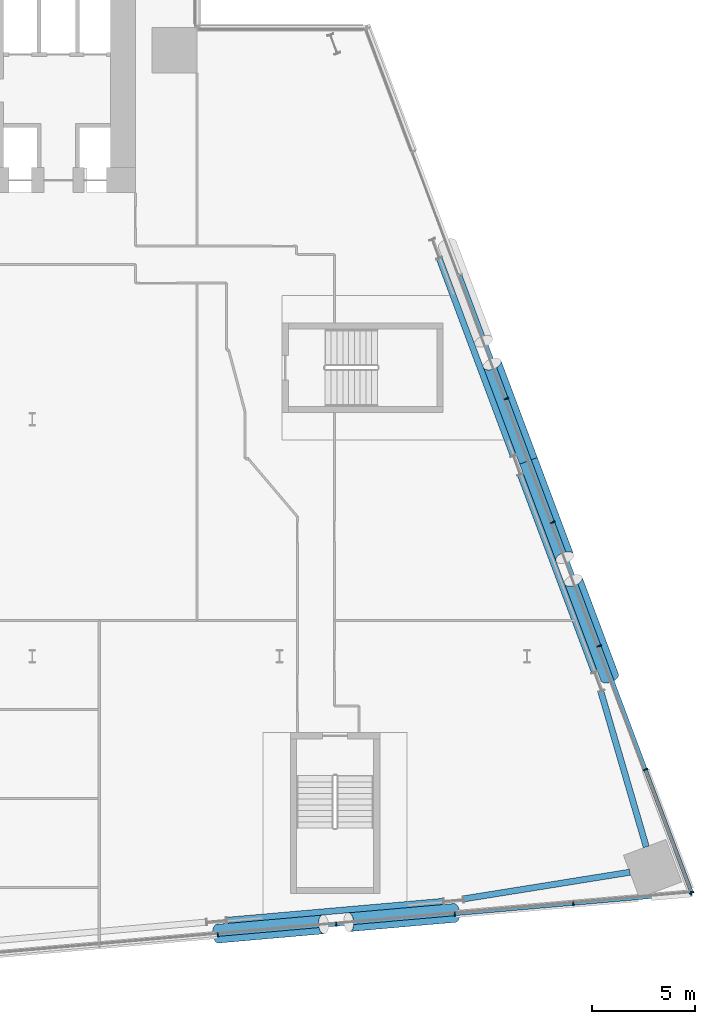
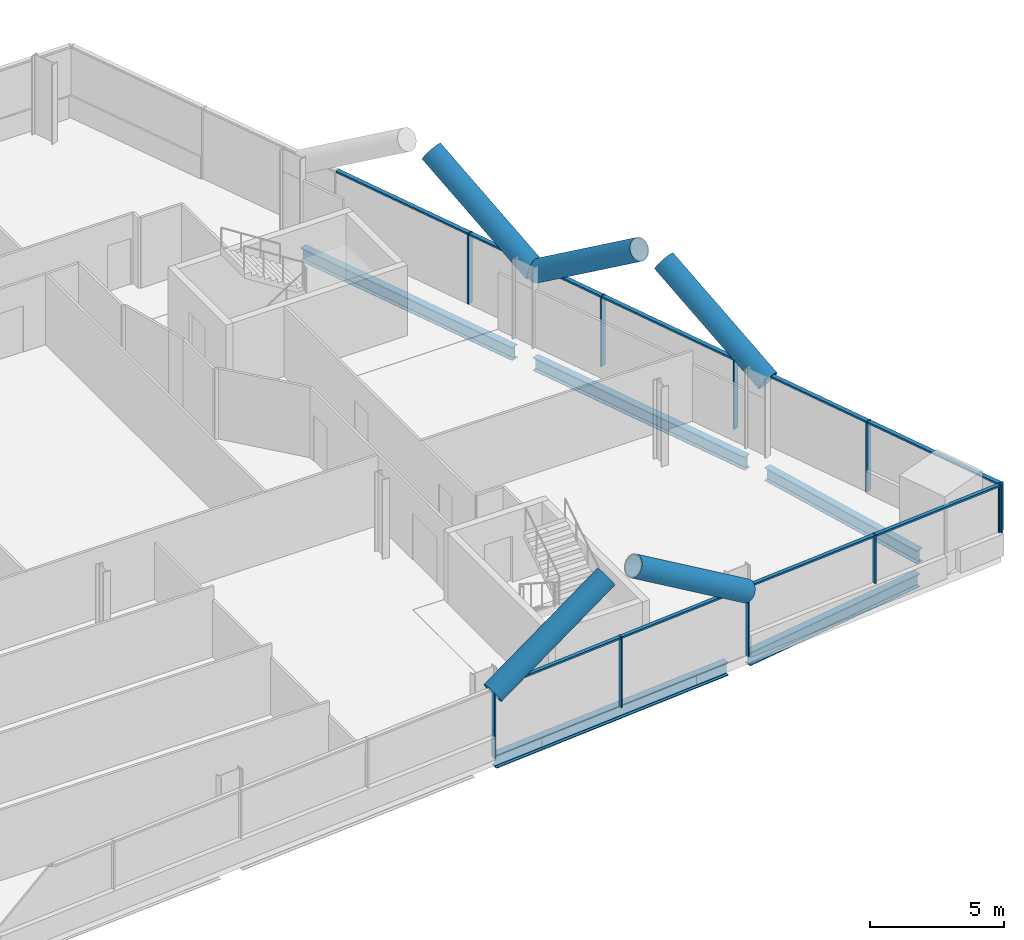
# One storey, part 9 of 27: 24 members, 5 beams, 2 elements without a shape of their own.
"""IFC4 building model written with IfcOpenShell, lengths in metres."""

from ifc_helpers import new_model, si_unit, direction, frame, origin, origin_2d, place, context, subcontext, project, spatial, rectangle, hollow_circle, i_section, extrude, material, material_profile, profile_set, type_object, element, aggregate, save


model = new_model("IFC4")

# Units and contexts
model_context = context("Model", 3, precision=1e-05, world=origin(), true_north=direction((0.0, 1.0)))
body_context = subcontext(model_context, "Body", "Model", "MODEL_VIEW")
ifc_project = project(units=[si_unit("LENGTHUNIT", "METRE"), si_unit("AREAUNIT", "SQUARE_METRE"), si_unit("VOLUMEUNIT", "CUBIC_METRE"), si_unit("PLANEANGLEUNIT", "RADIAN"), si_unit("MASSUNIT", "GRAM", prefix="KILO")], contexts=[model_context])

# Site, building, storey
site_placement = place(None, origin())
site = spatial("IfcSite", under=ifc_project, at=site_placement, CompositionType="ELEMENT")
building_placement = place(site_placement, origin())
building = spatial("IfcBuilding", under=site, at=building_placement, Name="Wharfspan Tower", CompositionType="ELEMENT")
storey_placement = place(building_placement, frame((0.0, 0.0, 81.100098)))
storey = spatial("IfcBuildingStorey", under=building, at=storey_placement, Name="L17", CompositionType="ELEMENT", Elevation=81.100098)

# Beams
ifc_material_1 = material(Name="Steel S355J2", Category="steel")
ifc_material_profile_1 = material_profile(ifc_material_1, i_section(OverallWidth=0.300049, OverallDepth=0.600098, WebThickness=0.015381, FlangeThickness=0.030029, FilletRadius=0.0271, at=origin_2d()))
ifc_profile_set_1 = profile_set([ifc_material_profile_1], Name="Steel S355J2")
beam_type = type_object("IfcBeamType", Name="Edge beam HEB 600", PredefinedType="SPANDREL", material=ifc_profile_set_1)
beam_1_placement = place(storey_placement, frame((69.440674, -1.311279, -0.700195), z_axis=(0.996193, 0.087178, 0.0), x_axis=(-0.087178, 0.996193, 0.0)))
element("IfcBeam", 1, at=beam_1_placement, inside=storey, type_object=beam_type, Name="Edge beam S2 L17 PS2.2 to PS2.3", PredefinedType="SPANDREL", context=body_context, shape_type="SweptSolid", body=[
    extrude(i_section(OverallWidth=0.300049, OverallDepth=0.600098, WebThickness=0.015381, FlangeThickness=0.030029, FilletRadius=0.0271, at=origin_2d()), origin(), (0.0, 0.0, 1.0), 10.543701),
])
beam_2_placement = place(storey_placement, frame((80.9375, -0.269287, -0.700195), z_axis=(0.987379, 0.158378, 0.0), x_axis=(-0.158378, 0.987379, 0.0)))
element("IfcBeam", 2, at=beam_2_placement, inside=storey, type_object=beam_type, Name="Edge beam S2 L17 PS2.3 to MC4", PredefinedType="SPANDREL", context=body_context, shape_type="SweptSolid", body=[
    extrude(i_section(OverallWidth=0.300049, OverallDepth=0.600098, WebThickness=0.015381, FlangeThickness=0.030029, FilletRadius=0.0271, at=origin_2d()), origin(), (0.0, 0.0, 1.0), 8.157715),
])
beam_3_placement = place(storey_placement, frame((89.788086, 2.254639, -0.700195), z_axis=(-0.280694, 0.959797, 0.0), x_axis=(-0.959797, -0.280694, 0.0)))
element("IfcBeam", 3, at=beam_3_placement, inside=storey, type_object=beam_type, Name="Edge beam E L17 MC4 to PE.1", PredefinedType="SPANDREL", context=body_context, shape_type="SweptSolid", body=[
    extrude(i_section(OverallWidth=0.300049, OverallDepth=0.600098, WebThickness=0.015381, FlangeThickness=0.030029, FilletRadius=0.0271, at=origin_2d()), origin(), (0.0, 0.0, 1.0), 7.8479),
])
for number, where, z_axis, x_axis, name in (
    (4, (87.269043, 10.736328, -0.700195), (-0.351126, 0.936328, 0.0), (-0.936328, -0.351126, 0.0), "Edge beam E L17 PE.1 to PE.2"),
    (5, (83.331543, 21.236328, -0.700195), (-0.351126, 0.936328, 0.0), (-0.936328, -0.351126, 0.0), "Edge beam E L17 PE.2 to PE.3"),
):
    element("IfcBeam", number, at=place(storey_placement, frame(where, z_axis=z_axis, x_axis=x_axis)), inside=storey, type_object=beam_type, Name=name, PredefinedType="SPANDREL", context=body_context, shape_type="SweptSolid", body=[
        extrude(i_section(OverallWidth=0.300049, OverallDepth=0.600098, WebThickness=0.015381, FlangeThickness=0.030029, FilletRadius=0.0271, at=origin_2d()), origin(), (0.0, 0.0, 1.0), 10.214111),
    ])

# Curtain wall, members
ifc_material_2 = material(Name="Aluminium 6063-T6", Category="aluminium")
curtain_wall_type_1 = type_object("IfcCurtainWallType", Name="CURTAIN WALL FACETED FRONT", PredefinedType="NOTDEFINED", material=ifc_material_2)
curtain_wall_1_placement = place(storey_placement, origin())
curtain_wall_1 = element("IfcCurtainWall", 6, at=curtain_wall_1_placement, inside=storey, type_object=curtain_wall_type_1, Name="Curtain wall S2", PredefinedType="NOTDEFINED")
ifc_material_profile_2 = material_profile(ifc_material_2, rectangle(XDim=0.199951, YDim=0.060059, at=origin_2d()))
ifc_profile_set_2 = profile_set([ifc_material_profile_2], Name="Aluminium 6063-T6")
member_type_1 = type_object("IfcMemberType", Name="MULLION FACETED FRONT 60x200", PredefinedType="MULLION", material=ifc_profile_set_2)
member_1_placement = place(storey_placement, frame((69.0, -2.012207, 0.0), z_axis=(0.0, 0.0, 1.0), x_axis=(-0.087156, 0.996197, 0.0)))
member_1 = element("IfcMember", 7, at=member_1_placement, type_object=member_type_1, Name="Curtain wall S2 mullion 5", PredefinedType="MULLION", context=body_context, shape_type="SweptSolid", body=[
    extrude(rectangle(XDim=0.199951, YDim=0.060059, at=origin_2d()), origin(), (0.0, 0.0, 1.0), 3.199951),
])
member_2_placement = place(storey_placement, frame((74.75, -1.509277, 0.0), z_axis=(0.0, 0.0, 1.0), x_axis=(-0.087156, 0.996197, 0.0)))
member_2 = element("IfcMember", 8, at=member_2_placement, type_object=member_type_1, Name="Curtain wall S2 mullion 6", PredefinedType="MULLION", context=body_context, shape_type="SweptSolid", body=[
    extrude(rectangle(XDim=0.199951, YDim=0.060059, at=origin_2d()), origin(), (0.0, 0.0, 1.0), 3.199951),
])
member_3_placement = place(storey_placement, frame((80.5, -1.006104, 0.0), z_axis=(0.0, 0.0, 1.0), x_axis=(-0.087156, 0.996197, 0.0)))
member_3 = element("IfcMember", 9, at=member_3_placement, type_object=member_type_1, Name="Curtain wall S2 mullion 7", PredefinedType="MULLION", context=body_context, shape_type="SweptSolid", body=[
    extrude(rectangle(XDim=0.199951, YDim=0.060059, at=origin_2d()), origin(), (0.0, 0.0, 1.0), 3.199951),
])
member_4_placement = place(storey_placement, frame((86.25, -0.503174, 1.0), z_axis=(0.0, 0.0, 1.0), x_axis=(-0.087156, 0.996197, 0.0)))
member_4 = element("IfcMember", 10, at=member_4_placement, type_object=member_type_1, Name="Curtain wall S2 mullion 8", PredefinedType="MULLION", context=body_context, shape_type="SweptSolid", body=[
    extrude(rectangle(XDim=0.199951, YDim=0.060059, at=origin_2d()), origin(), (0.0, 0.0, 1.0), 2.199951),
])
member_5_placement = place(storey_placement, frame((91.970215, -0.002686, 1.0), z_axis=(0.0, 0.0, 1.0), x_axis=(-0.087156, 0.996197, 0.0)))
member_5 = element("IfcMember", 11, at=member_5_placement, type_object=member_type_1, Name="Curtain wall S2 mullion 9", PredefinedType="MULLION", context=body_context, shape_type="SweptSolid", body=[
    extrude(rectangle(XDim=0.199951, YDim=0.060059, at=origin_2d()), origin(), (0.0, 0.0, 1.0), 2.199951),
])

curtain_wall_type_2 = type_object("IfcCurtainWallType", Name="CURTAIN WALL PROW AND END", PredefinedType="NOTDEFINED", material=ifc_material_2)
curtain_wall_2_placement = place(storey_placement, origin())
curtain_wall_2 = element("IfcCurtainWall", 12, at=curtain_wall_2_placement, inside=storey, type_object=curtain_wall_type_2, Name="Curtain wall E", PredefinedType="NOTDEFINED")
ifc_material_profile_3 = material_profile(ifc_material_2, rectangle(XDim=0.23999, YDim=0.060059, at=origin_2d()))
ifc_profile_set_3 = profile_set([ifc_material_profile_3], Name="Aluminium 6063-T6")
member_type_2 = type_object("IfcMemberType", Name="MULLION PROW AND END 60x240", PredefinedType="MULLION", material=ifc_profile_set_3)
member_6_placement = place(storey_placement, frame((91.989502, 0.028076, 1.0), z_axis=(0.0, 0.0, 1.0), x_axis=(-0.936328, -0.351123, 0.0)))
member_6 = element("IfcMember", 13, at=member_6_placement, type_object=member_type_2, Name="Curtain wall E mullion 1", PredefinedType="MULLION", context=body_context, shape_type="SweptSolid", body=[
    extrude(rectangle(XDim=0.23999, YDim=0.060059, at=origin_2d()), origin(), (0.0, 0.0, 1.0), 2.199951),
])
member_7_placement = place(storey_placement, frame((89.75, 6.0, 0.0), z_axis=(0.0, 0.0, 1.0), x_axis=(-0.936328, -0.351123, 0.0)))
member_7 = element("IfcMember", 14, at=member_7_placement, type_object=member_type_2, Name="Curtain wall E mullion 2", PredefinedType="MULLION", context=body_context, shape_type="SweptSolid", body=[
    extrude(rectangle(XDim=0.23999, YDim=0.060059, at=origin_2d()), origin(), (0.0, 0.0, 1.0), 3.199951),
])
member_8_placement = place(storey_placement, frame((87.5, 12.0, 0.0), z_axis=(0.0, 0.0, 1.0), x_axis=(-0.936328, -0.351123, 0.0)))
member_8 = element("IfcMember", 15, at=member_8_placement, type_object=member_type_2, Name="Curtain wall E mullion 3", PredefinedType="MULLION", context=body_context, shape_type="SweptSolid", body=[
    extrude(rectangle(XDim=0.23999, YDim=0.060059, at=origin_2d()), origin(), (0.0, 0.0, 1.0), 3.199951),
])
member_9_placement = place(storey_placement, frame((85.25, 18.0, 0.0), z_axis=(0.0, 0.0, 1.0), x_axis=(-0.936328, -0.351123, 0.0)))
member_9 = element("IfcMember", 16, at=member_9_placement, type_object=member_type_2, Name="Curtain wall E mullion 4", PredefinedType="MULLION", context=body_context, shape_type="SweptSolid", body=[
    extrude(rectangle(XDim=0.23999, YDim=0.060059, at=origin_2d()), origin(), (0.0, 0.0, 1.0), 3.199951),
])
member_10_placement = place(storey_placement, frame((83.0, 24.0, 0.0), z_axis=(0.0, 0.0, 1.0), x_axis=(-0.936328, -0.351123, 0.0)))
member_10 = element("IfcMember", 17, at=member_10_placement, type_object=member_type_2, Name="Curtain wall E mullion 5", PredefinedType="MULLION", context=body_context, shape_type="SweptSolid", body=[
    extrude(rectangle(XDim=0.23999, YDim=0.060059, at=origin_2d()), origin(), (0.0, 0.0, 1.0), 3.199951),
])

# Members
ifc_material_3 = material(Name="Steel S460NH", Category="steel")
ifc_material_profile_4 = material_profile(ifc_material_3, hollow_circle(Radius=0.457031, WallThickness=0.040039, at=origin_2d()))
ifc_profile_set_4 = profile_set([ifc_material_profile_4], Name="Steel S460NH")
member_type_3 = type_object("IfcMemberType", Name="Mega brace CHS 914x40", PredefinedType="BRACE", material=ifc_profile_set_4)
member_11_placement = place(storey_placement, frame((68.995117, -1.95752, 2.899902), z_axis=(0.845262, 0.073959, 0.529208), x_axis=(-0.087167, 0.996192, 3e-06)))
element("IfcMember", 18, at=member_11_placement, inside=storey, type_object=member_type_3, Name="Mega brace S2 L18 part 1", PredefinedType="BRACE", context=body_context, shape_type="SweptSolid", body=[
    extrude(hollow_circle(Radius=0.457031, WallThickness=0.040039, at=origin_2d()), origin(), (0.0, 0.0, 1.0), 6.073975),
])
member_12_placement = place(storey_placement, frame((80.495117, -0.951416, 2.899902), z_axis=(-0.845253, -0.073921, 0.529228), x_axis=(0.08712, -0.996199, -3e-06)))
element("IfcMember", 19, at=member_12_placement, inside=storey, type_object=member_type_3, Name="Mega brace S2 L18 part 3", PredefinedType="BRACE", context=body_context, shape_type="SweptSolid", body=[
    extrude(hollow_circle(Radius=0.457031, WallThickness=0.040039, at=origin_2d()), origin(), (0.0, 0.0, 1.0), 6.07373),
])
for number, where, z_axis, x_axis, name in (
    (20, (88.010986, 10.480713, 2.899902), (-0.295459, 0.787904, 0.540288), (-0.936328, -0.351115, -3e-06), "Mega brace E5 L18 part 1"),
    (21, (84.073486, 20.980713, 2.899902), (0.295459, -0.787904, 0.540288), (0.936328, 0.351115, -3e-06), "Mega brace E5 L18 part 3"),
    (22, (84.073486, 20.980713, 2.899902), (-0.295459, 0.787904, 0.540288), (-0.936328, -0.351115, -3e-06), "Mega brace E6 L18 part 1"),
):
    element("IfcMember", number, at=place(storey_placement, frame(where, z_axis=z_axis, x_axis=x_axis)), inside=storey, type_object=member_type_3, Name=name, PredefinedType="BRACE", context=body_context, shape_type="SweptSolid", body=[
        extrude(hollow_circle(Radius=0.457031, WallThickness=0.040039, at=origin_2d()), origin(), (0.0, 0.0, 1.0), 5.955322),
    ])

# Member
ifc_material_profile_5 = material_profile(ifc_material_2, rectangle(XDim=0.159912, YDim=0.080078, at=origin_2d()))
ifc_profile_set_5 = profile_set([ifc_material_profile_5], Name="Aluminium 6063-T6")
member_type_4 = type_object("IfcMemberType", Name="TRANSOM FACETED FRONT 80x160", PredefinedType="USERDEFINED", material=ifc_profile_set_5)
member_13_placement = place(storey_placement, frame((69.029785, -2.009521, 3.159912), z_axis=(0.996195, 0.087148, 0.0), x_axis=(-0.087148, 0.996195, 0.0)))
member_13 = element("IfcMember", 23, at=member_13_placement, type_object=member_type_4, Name="Curtain wall S2 transom 5", ObjectType="TRANSOM", PredefinedType="USERDEFINED", context=body_context, shape_type="SweptSolid", body=[
    extrude(rectangle(XDim=0.159912, YDim=0.080078, at=origin_2d()), origin(), (0.0, 0.0, 1.0), 5.712158),
])

member_14_placement = place(storey_placement, frame((74.779785, -1.506592, 3.159912), z_axis=(0.996195, 0.087148, 0.0), x_axis=(-0.087148, 0.996195, 0.0)))
member_14 = element("IfcMember", 24, at=member_14_placement, type_object=member_type_4, Name="Curtain wall S2 transom 6", ObjectType="TRANSOM", PredefinedType="USERDEFINED", context=body_context, shape_type="SweptSolid", body=[
    extrude(rectangle(XDim=0.159912, YDim=0.080078, at=origin_2d()), origin(), (0.0, 0.0, 1.0), 5.712158),
])

member_15_placement = place(storey_placement, frame((80.529785, -1.003418, 3.159912), z_axis=(0.996195, 0.087148, 0.0), x_axis=(-0.087148, 0.996195, 0.0)))
member_15 = element("IfcMember", 25, at=member_15_placement, type_object=member_type_4, Name="Curtain wall S2 transom 7", ObjectType="TRANSOM", PredefinedType="USERDEFINED", context=body_context, shape_type="SweptSolid", body=[
    extrude(rectangle(XDim=0.159912, YDim=0.080078, at=origin_2d()), origin(), (0.0, 0.0, 1.0), 5.712158),
])

member_16_placement = place(storey_placement, frame((86.279785, -0.500488, 3.159912), z_axis=(0.996193, 0.08718, 0.0), x_axis=(-0.08718, 0.996193, 0.0)))
member_16 = element("IfcMember", 26, at=member_16_placement, type_object=member_type_4, Name="Curtain wall S2 transom 8", ObjectType="TRANSOM", PredefinedType="USERDEFINED", context=body_context, shape_type="SweptSolid", body=[
    extrude(rectangle(XDim=0.159912, YDim=0.080078, at=origin_2d()), origin(), (0.0, 0.0, 1.0), 5.682129),
])

aggregate(curtain_wall_1, [member_1, member_2, member_3, member_4, member_5, member_13, member_14, member_15, member_16])

ifc_material_profile_6 = material_profile(ifc_material_2, rectangle(XDim=0.179932, YDim=0.080078, at=origin_2d()))
ifc_profile_set_6 = profile_set([ifc_material_profile_6], Name="Aluminium 6063-T6")
member_type_5 = type_object("IfcMemberType", Name="TRANSOM PROW AND END 80x180", PredefinedType="USERDEFINED", material=ifc_profile_set_6)
member_17_placement = place(storey_placement, frame((91.979004, 0.056152, 3.159912), z_axis=(-0.351136, 0.936324, 0.0), x_axis=(-0.936324, -0.351136, 0.0)))
member_17 = element("IfcMember", 27, at=member_17_placement, type_object=member_type_5, Name="Curtain wall E transom 1", ObjectType="TRANSOM", PredefinedType="USERDEFINED", context=body_context, shape_type="SweptSolid", body=[
    extrude(rectangle(XDim=0.179932, YDim=0.080078, at=origin_2d()), origin(), (0.0, 0.0, 1.0), 6.318115),
])

member_18_placement = place(storey_placement, frame((89.739502, 6.028076, 3.159912), z_axis=(-0.351132, 0.936326, 0.0), x_axis=(-0.936326, -0.351132, 0.0)))
member_18 = element("IfcMember", 28, at=member_18_placement, type_object=member_type_5, Name="Curtain wall E transom 2", ObjectType="TRANSOM", PredefinedType="USERDEFINED", context=body_context, shape_type="SweptSolid", body=[
    extrude(rectangle(XDim=0.179932, YDim=0.080078, at=origin_2d()), origin(), (0.0, 0.0, 1.0), 6.348145),
])

member_19_placement = place(storey_placement, frame((87.489502, 12.028076, 3.159912), z_axis=(-0.351132, 0.936326, 0.0), x_axis=(-0.936326, -0.351132, 0.0)))
member_19 = element("IfcMember", 29, at=member_19_placement, type_object=member_type_5, Name="Curtain wall E transom 3", ObjectType="TRANSOM", PredefinedType="USERDEFINED", context=body_context, shape_type="SweptSolid", body=[
    extrude(rectangle(XDim=0.179932, YDim=0.080078, at=origin_2d()), origin(), (0.0, 0.0, 1.0), 6.348145),
])

member_20_placement = place(storey_placement, frame((85.239502, 18.028076, 3.159912), z_axis=(-0.351132, 0.936326, 0.0), x_axis=(-0.936326, -0.351132, 0.0)))
member_20 = element("IfcMember", 30, at=member_20_placement, type_object=member_type_5, Name="Curtain wall E transom 4", ObjectType="TRANSOM", PredefinedType="USERDEFINED", context=body_context, shape_type="SweptSolid", body=[
    extrude(rectangle(XDim=0.179932, YDim=0.080078, at=origin_2d()), origin(), (0.0, 0.0, 1.0), 6.348145),
])

member_21_placement = place(storey_placement, frame((82.989502, 24.028076, 3.159912), z_axis=(-0.351132, 0.936326, 0.0), x_axis=(-0.936326, -0.351132, 0.0)))
member_21 = element("IfcMember", 31, at=member_21_placement, type_object=member_type_5, Name="Curtain wall E transom 5", ObjectType="TRANSOM", PredefinedType="USERDEFINED", context=body_context, shape_type="SweptSolid", body=[
    extrude(rectangle(XDim=0.179932, YDim=0.080078, at=origin_2d()), origin(), (0.0, 0.0, 1.0), 6.348145),
])

aggregate(curtain_wall_2, [member_6, member_7, member_8, member_9, member_10, member_17, member_18, member_19, member_20, member_21])

save(model, "model.ifc")
